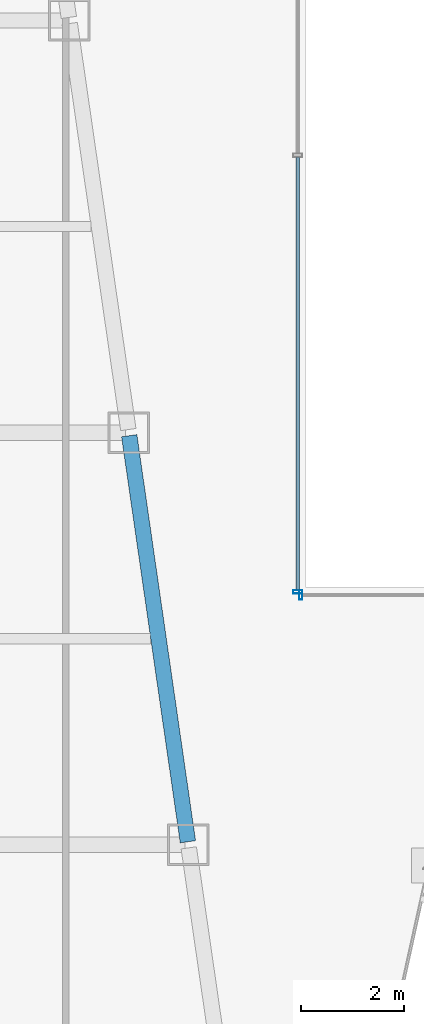
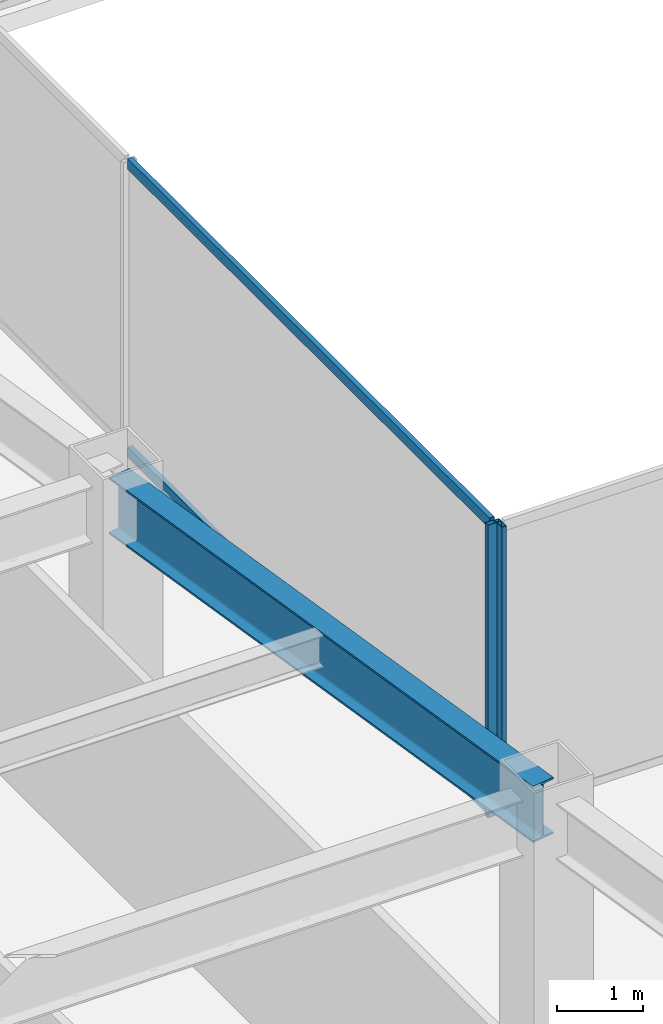
# One storey, part 12 of 47: 4 members, 1 beam, 2 elements without a shape of their own.
"""IFC4 building model written with IfcOpenShell, lengths in metres."""

from ifc_helpers import new_model, si_unit, direction, frame, origin, origin_2d, place, context, subcontext, project, spatial, hollow_rectangle, i_section, extrude, material, material_profile, profile_set, type_object, element, aggregate, save


model = new_model("IFC4")

# Units and contexts
model_context = context("Model", 3, precision=1e-05, world=origin(), true_north=direction((0.0, 1.0)))
body_context = subcontext(model_context, "Body", "Model", "MODEL_VIEW")
ifc_project = project(units=[si_unit("LENGTHUNIT", "METRE"), si_unit("AREAUNIT", "SQUARE_METRE"), si_unit("VOLUMEUNIT", "CUBIC_METRE"), si_unit("PLANEANGLEUNIT", "RADIAN"), si_unit("MASSUNIT", "GRAM", prefix="KILO")], contexts=[model_context])

# Site, building, storey
site_placement = place(None, origin())
site = spatial("IfcSite", under=ifc_project, at=site_placement, CompositionType="ELEMENT")
building_placement = place(site_placement, origin())
building = spatial("IfcBuilding", under=site, at=building_placement, Name="Saevonmaru Cultural Tower", CompositionType="ELEMENT")
storey_placement = place(building_placement, frame((0.0, 0.0, 78.0)))
storey = spatial("IfcBuildingStorey", under=building, at=storey_placement, Name="L16", CompositionType="ELEMENT", Elevation=78.0)

# Beam
ifc_material_1 = material(Name="Steel SM420", Category="steel")
ifc_material_profile_1 = material_profile(ifc_material_1, i_section(OverallWidth=0.300048828125, OverallDepth=0.800048828125, WebThickness=0.013916015625, FlangeThickness=0.02587890625, FilletRadius=0.028076171875, at=origin_2d()), Name="H-800x300x14x26")
ifc_profile_set_1 = profile_set([ifc_material_profile_1], Name="Steel SM420")
beam_type = type_object("IfcBeamType", Name="BM-G-H800", PredefinedType="BEAM", material=ifc_profile_set_1)
beam_placement = place(storey_placement, frame((21.91943359375, 16.059326171875, 3.75), z_axis=(-0.143022161059, 0.989719486241, 0.0), x_axis=(-0.989719486241, -0.143022161059, 0.0)))
element("IfcBeam", 1, at=beam_placement, inside=storey, type_object=beam_type, Name="L16 West Atrium Girder 3", PredefinedType="BEAM", context=body_context, shape_type="SweptSolid", body=[
    extrude(i_section(OverallWidth=0.300048828125, OverallDepth=0.800048828125, WebThickness=0.013916015625, FlangeThickness=0.02587890625, FilletRadius=0.028076171875, at=origin_2d()), origin(), (0.0, 0.0, 1.0), 7.963134765625),
])

# Curtain wall, member
ifc_material_2 = material(Name="Satin Bronze Anodised Aluminium", Category="aluminium")
curtain_wall_type = type_object("IfcCurtainWallType", Name="CW-ATR-GLZ", PredefinedType="NOTDEFINED", material=ifc_material_2)
curtain_wall_1_placement = place(storey_placement, origin())
curtain_wall_1 = element("IfcCurtainWall", 2, at=curtain_wall_1_placement, inside=storey, type_object=curtain_wall_type, Name="L16 Vertical Atrium Glazed Smoke Screen 1", PredefinedType="NOTDEFINED")
ifc_material_profile_2 = material_profile(ifc_material_2, hollow_rectangle(XDim=0.06494140625, YDim=0.179931640625, WallThickness=0.00390625, at=origin_2d()), Name="ALU-MULL-180x65x4")
ifc_profile_set_2 = profile_set([ifc_material_profile_2], Name="Satin Bronze Anodised Aluminium")
member_type_1 = type_object("IfcMemberType", Name="ML-CW-INT-180x65", PredefinedType="MULLION", material=ifc_profile_set_2)
member_1_placement = place(storey_placement, frame((24.110107421875, 20.85009765625, 0.0), z_axis=(0.0, 0.0, 1.0), x_axis=(1.0, 0.0, 0.0)))
member_1 = element("IfcMember", 3, at=member_1_placement, type_object=member_type_1, Name="CW-ATR-L16-1 mullion 1", PredefinedType="MULLION", context=body_context, shape_type="SweptSolid", body=[
    extrude(hollow_rectangle(XDim=0.06494140625, YDim=0.179931640625, WallThickness=0.00390625, at=origin_2d()), origin(), (0.0, 0.0, 1.0), 4.14990234375),
])
aggregate(curtain_wall_1, [member_1])

# Curtain wall, members
curtain_wall_2_placement = place(storey_placement, origin())
curtain_wall_2 = element("IfcCurtainWall", 4, at=curtain_wall_2_placement, inside=storey, type_object=curtain_wall_type, Name="L16 Vertical Atrium Glazed Smoke Screen 4", PredefinedType="NOTDEFINED")
member_2_placement = place(storey_placement, frame((24.050048828125, 20.909912109375, 0.0), z_axis=(0.0, 0.0, 1.0), x_axis=(0.0, -1.0, 0.0)))
member_2 = element("IfcMember", 5, at=member_2_placement, type_object=member_type_1, Name="CW-ATR-L16-4 mullion 3", PredefinedType="MULLION", context=body_context, shape_type="SweptSolid", body=[
    extrude(hollow_rectangle(XDim=0.06494140625, YDim=0.179931640625, WallThickness=0.00390625, at=origin_2d()), origin(), (0.0, 0.0, 1.0), 4.14990234375),
])
ifc_material_profile_3 = material_profile(ifc_material_2, hollow_rectangle(XDim=0.06494140625, YDim=0.14990234375, WallThickness=0.00390625, at=origin_2d()), Name="ALU-TRAN-150x65x4")
ifc_profile_set_3 = profile_set([ifc_material_profile_3], Name="Satin Bronze Anodised Aluminium")
member_type_2 = type_object("IfcMemberType", Name="TR-CW-INT-150x65", PredefinedType="USERDEFINED", material=ifc_profile_set_3)
member_3_placement = place(storey_placement, frame((24.050048828125, 29.347412109375, 0.032470703125), z_axis=(0.0, -1.0, 0.0), x_axis=(1.0, 0.0, 0.0)))
member_3 = element("IfcMember", 6, at=member_3_placement, type_object=member_type_2, Name="CW-ATR-L16-4 transom 2.1", ObjectType="TRANSOM", PredefinedType="USERDEFINED", context=body_context, shape_type="SweptSolid", body=[
    extrude(hollow_rectangle(XDim=0.06494140625, YDim=0.14990234375, WallThickness=0.00390625, at=origin_2d()), origin(), (0.0, 0.0, 1.0), 8.405029296875),
])
member_4_placement = place(storey_placement, frame((24.050048828125, 29.347412109375, 4.117431640625), z_axis=(0.0, -1.0, 0.0), x_axis=(1.0, 0.0, 0.0)))
member_4 = element("IfcMember", 7, at=member_4_placement, type_object=member_type_2, Name="CW-ATR-L16-4 transom 2.2", ObjectType="TRANSOM", PredefinedType="USERDEFINED", context=body_context, shape_type="SweptSolid", body=[
    extrude(hollow_rectangle(XDim=0.06494140625, YDim=0.14990234375, WallThickness=0.00390625, at=origin_2d()), origin(), (0.0, 0.0, 1.0), 8.405029296875),
])
aggregate(curtain_wall_2, [member_2, member_3, member_4])

save(model, "model.ifc")
